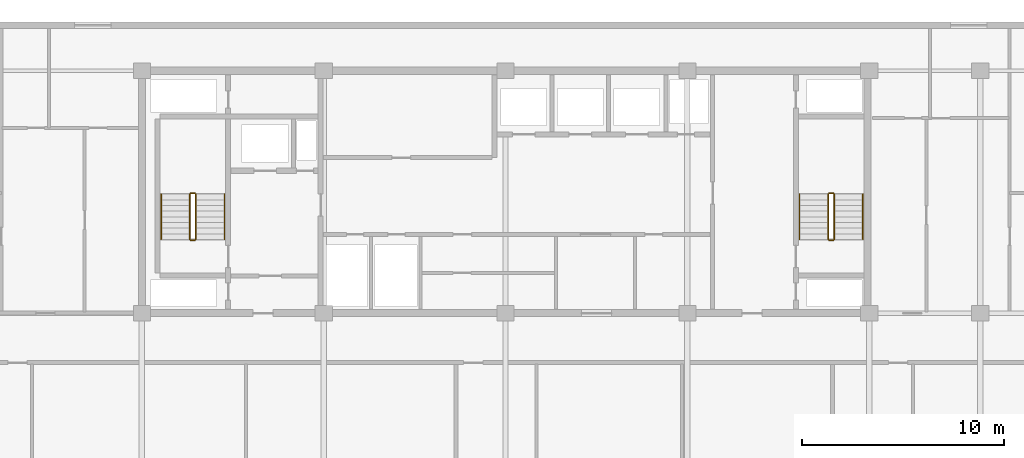
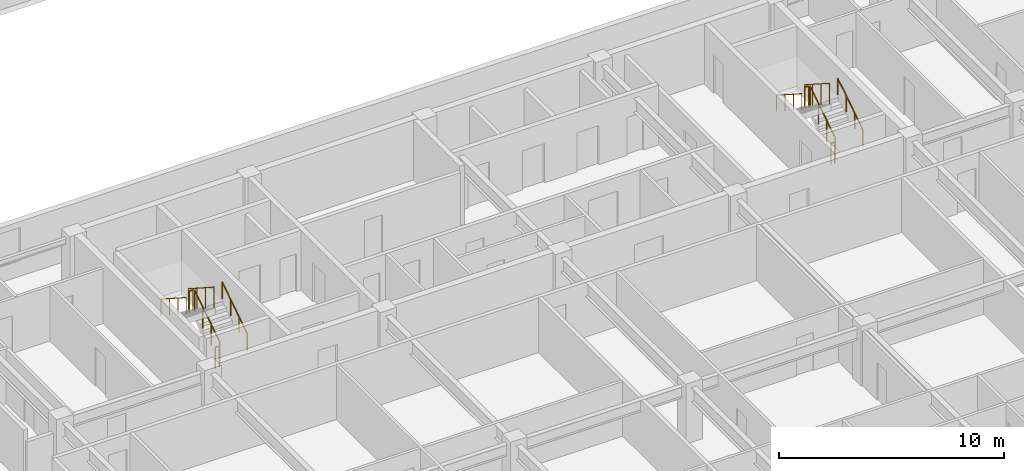
# One storey, part 19 of 22: 12 railings.
"""IFC4 building model written with IfcOpenShell, lengths in metres."""

from ifc_helpers import new_model, si_unit, direction, frame, origin, origin_2d, place, context, subcontext, project, spatial, circle, extrude, material, type_object, element, save


model = new_model("IFC4")

# Units and contexts
model_context = context("Model", 3, precision=1e-05, world=origin(), true_north=direction((0.0, 1.0)))
body_context = subcontext(model_context, "Body", "Model", "MODEL_VIEW")
ifc_project = project(units=[si_unit("LENGTHUNIT", "METRE"), si_unit("AREAUNIT", "SQUARE_METRE"), si_unit("VOLUMEUNIT", "CUBIC_METRE"), si_unit("PLANEANGLEUNIT", "RADIAN"), si_unit("MASSUNIT", "GRAM", prefix="KILO")], contexts=[model_context])

# Site, building, storey
site_placement = place(None, origin())
site = spatial("IfcSite", under=ifc_project, at=site_placement, CompositionType="ELEMENT")
building_placement = place(site_placement, origin())
building = spatial("IfcBuilding", under=site, at=building_placement, Name="Korimba Cascade Residences", CompositionType="ELEMENT")
storey_placement = place(building_placement, frame((0.0, 0.0, 129.550048828125)))
storey = spatial("IfcBuildingStorey", under=building, at=storey_placement, Name="L37", CompositionType="ELEMENT", Elevation=129.550048828125)

# Railings
ifc_material_1 = material(Name="Painted Steel Stairwell Guardrail", Category="steel")
railing_type_1 = type_object("IfcRailingType", Name="RLG-ST-GD1150", PredefinedType="GUARDRAIL", material=ifc_material_1)
railing_1_placement = place(storey_placement, frame((84.77001953125, 22.050048828125, 0.180419921875)))
element("IfcRailing", 1, at=railing_1_placement, inside=storey, type_object=railing_type_1, Name="L37 ST-E1 stair guard 1", PredefinedType="GUARDRAIL", context=body_context, shape_type="SweptSolid", body=[
    extrude(circle(Radius=0.02392578125, at=origin_2d()), frame((0.0, 0.0, 1.1259765625), z_axis=(0.0, 0.840394893359, 0.541974559565), x_axis=(-1.0, 0.0, 0.0)), (0.0, 0.0, 1.0), 2.665283203125),
    extrude(circle(Radius=0.02099609375, at=origin_2d()), origin(), (0.0, 0.0, 1.0), 1.101806640625),
    extrude(circle(Radius=0.02099609375, at=origin_2d()), frame((0.0, 0.74658203125, 0.4814453125)), (0.0, 0.0, 1.0), 1.101806640625),
    extrude(circle(Radius=0.02099609375, at=origin_2d()), frame((0.0, 1.493408203125, 0.963134765625)), (0.0, 0.0, 1.0), 1.101806640625),
    extrude(circle(Radius=0.02099609375, at=origin_2d()), frame((0.0, 2.239990234375, 1.444580078125)), (0.0, 0.0, 1.0), 1.101806640625),
])
railing_2_placement = place(storey_placement, frame((84.719970703125, 24.340087890625, 1.625)))
element("IfcRailing", 2, at=railing_2_placement, inside=storey, type_object=railing_type_1, Name="L37 ST-E1 stair guard 2", PredefinedType="GUARDRAIL", context=body_context, shape_type="SweptSolid", body=[
    extrude(circle(Radius=0.02392578125, at=origin_2d()), frame((0.0, 0.0, 1.1259765625), z_axis=(-1.0, 0.0, 0.0), x_axis=(0.0, -1.0, 0.0)), (0.0, 0.0, 1.0), 0.199951171875),
    extrude(circle(Radius=0.02099609375, at=origin_2d()), origin(), (0.0, 0.0, 1.0), 1.101806640625),
    extrude(circle(Radius=0.02099609375, at=origin_2d()), frame((-0.199951171875, 0.0, 0.0)), (0.0, 0.0, 1.0), 1.101806640625),
])
railing_3_placement = place(storey_placement, frame((84.469970703125, 24.2900390625, 1.805419921875)))
element("IfcRailing", 3, at=railing_3_placement, inside=storey, type_object=railing_type_1, Name="L37 ST-E1 stair guard 3", PredefinedType="GUARDRAIL", context=body_context, shape_type="SweptSolid", body=[
    extrude(circle(Radius=0.02392578125, at=origin_2d()), frame((0.0, 0.0, 1.1259765625), z_axis=(0.0, -0.840394893359, 0.541974559565), x_axis=(1.0, 0.0, 0.0)), (0.0, 0.0, 1.0), 2.665283203125),
    extrude(circle(Radius=0.02099609375, at=origin_2d()), origin(), (0.0, 0.0, 1.0), 1.101806640625),
    extrude(circle(Radius=0.02099609375, at=origin_2d()), frame((0.0, -0.74658203125, 0.4814453125)), (0.0, 0.0, 1.0), 1.101806640625),
    extrude(circle(Radius=0.02099609375, at=origin_2d()), frame((0.0, -1.493408203125, 0.963134765625)), (0.0, 0.0, 1.0), 1.101806640625),
    extrude(circle(Radius=0.02099609375, at=origin_2d()), frame((0.0, -2.239990234375, 1.444580078125)), (0.0, 0.0, 1.0), 1.101806640625),
])
railing_4_placement = place(storey_placement, frame((84.719970703125, 22.0, 0.0)))
element("IfcRailing", 4, at=railing_4_placement, inside=storey, type_object=railing_type_1, Name="L37 ST-E1 stair guard 4", PredefinedType="GUARDRAIL", context=body_context, shape_type="SweptSolid", body=[
    extrude(circle(Radius=0.02392578125, at=origin_2d()), frame((0.0, 0.0, 1.1259765625), z_axis=(-1.0, 0.0, 0.0), x_axis=(0.0, -1.0, 0.0)), (0.0, 0.0, 1.0), 0.199951171875),
    extrude(circle(Radius=0.02099609375, at=origin_2d()), origin(), (0.0, 0.0, 1.0), 1.101806640625),
    extrude(circle(Radius=0.02099609375, at=origin_2d()), frame((-0.199951171875, 0.0, 0.0)), (0.0, 0.0, 1.0), 1.101806640625),
])
railing_5_placement = place(storey_placement, frame((116.3701171875, 22.050048828125, 0.180419921875)))
element("IfcRailing", 5, at=railing_5_placement, inside=storey, type_object=railing_type_1, Name="L37 ST-E2 stair guard 1", PredefinedType="GUARDRAIL", context=body_context, shape_type="SweptSolid", body=[
    extrude(circle(Radius=0.02392578125, at=origin_2d()), frame((0.0, 0.0, 1.1259765625), z_axis=(0.0, 0.840394893359, 0.541974559565), x_axis=(-1.0, 0.0, 0.0)), (0.0, 0.0, 1.0), 2.665283203125),
    extrude(circle(Radius=0.02099609375, at=origin_2d()), origin(), (0.0, 0.0, 1.0), 1.101806640625),
    extrude(circle(Radius=0.02099609375, at=origin_2d()), frame((0.0, 0.74658203125, 0.4814453125)), (0.0, 0.0, 1.0), 1.101806640625),
    extrude(circle(Radius=0.02099609375, at=origin_2d()), frame((0.0, 1.493408203125, 0.963134765625)), (0.0, 0.0, 1.0), 1.101806640625),
    extrude(circle(Radius=0.02099609375, at=origin_2d()), frame((0.0, 2.239990234375, 1.444580078125)), (0.0, 0.0, 1.0), 1.101806640625),
])
railing_6_placement = place(storey_placement, frame((116.320068359375, 24.340087890625, 1.625)))
element("IfcRailing", 6, at=railing_6_placement, inside=storey, type_object=railing_type_1, Name="L37 ST-E2 stair guard 2", PredefinedType="GUARDRAIL", context=body_context, shape_type="SweptSolid", body=[
    extrude(circle(Radius=0.02392578125, at=origin_2d()), frame((0.0, 0.0, 1.1259765625), z_axis=(-1.0, 0.0, 0.0), x_axis=(0.0, -1.0, 0.0)), (0.0, 0.0, 1.0), 0.199951171875),
    extrude(circle(Radius=0.02099609375, at=origin_2d()), origin(), (0.0, 0.0, 1.0), 1.101806640625),
    extrude(circle(Radius=0.02099609375, at=origin_2d()), frame((-0.199951171875, 0.0, 0.0)), (0.0, 0.0, 1.0), 1.101806640625),
])
railing_7_placement = place(storey_placement, frame((116.070068359375, 24.2900390625, 1.805419921875)))
element("IfcRailing", 7, at=railing_7_placement, inside=storey, type_object=railing_type_1, Name="L37 ST-E2 stair guard 3", PredefinedType="GUARDRAIL", context=body_context, shape_type="SweptSolid", body=[
    extrude(circle(Radius=0.02392578125, at=origin_2d()), frame((0.0, 0.0, 1.1259765625), z_axis=(0.0, -0.840394893359, 0.541974559565), x_axis=(1.0, 0.0, 0.0)), (0.0, 0.0, 1.0), 2.665283203125),
    extrude(circle(Radius=0.02099609375, at=origin_2d()), origin(), (0.0, 0.0, 1.0), 1.101806640625),
    extrude(circle(Radius=0.02099609375, at=origin_2d()), frame((0.0, -0.74658203125, 0.4814453125)), (0.0, 0.0, 1.0), 1.101806640625),
    extrude(circle(Radius=0.02099609375, at=origin_2d()), frame((0.0, -1.493408203125, 0.963134765625)), (0.0, 0.0, 1.0), 1.101806640625),
    extrude(circle(Radius=0.02099609375, at=origin_2d()), frame((0.0, -2.239990234375, 1.444580078125)), (0.0, 0.0, 1.0), 1.101806640625),
])
railing_8_placement = place(storey_placement, frame((116.320068359375, 22.0, 0.0)))
element("IfcRailing", 8, at=railing_8_placement, inside=storey, type_object=railing_type_1, Name="L37 ST-E2 stair guard 4", PredefinedType="GUARDRAIL", context=body_context, shape_type="SweptSolid", body=[
    extrude(circle(Radius=0.02392578125, at=origin_2d()), frame((0.0, 0.0, 1.1259765625), z_axis=(-1.0, 0.0, 0.0), x_axis=(0.0, -1.0, 0.0)), (0.0, 0.0, 1.0), 0.199951171875),
    extrude(circle(Radius=0.02099609375, at=origin_2d()), origin(), (0.0, 0.0, 1.0), 1.101806640625),
    extrude(circle(Radius=0.02099609375, at=origin_2d()), frame((-0.199951171875, 0.0, 0.0)), (0.0, 0.0, 1.0), 1.101806640625),
])
ifc_material_2 = material(Name="Brushed Stainless Steel Handrail", Category="steel")
railing_type_2 = type_object("IfcRailingType", Name="RLG-ST-HR900", PredefinedType="HANDRAIL", material=ifc_material_2)
railing_9_placement = place(storey_placement, frame((86.18994140625, 22.050048828125, 0.364990234375)))
element("IfcRailing", 9, at=railing_9_placement, inside=storey, type_object=railing_type_2, Name="L37 ST-E1 stair handrail 1", PredefinedType="HANDRAIL", context=body_context, shape_type="SweptSolid", body=[
    extrude(circle(Radius=0.02392578125, at=origin_2d()), frame((0.0, 0.0, 0.8759765625), z_axis=(0.0, 0.840436612492, 0.541909863706), x_axis=(-1.0, 0.0, 0.0)), (0.0, 0.0, 1.0), 2.665283203125),
    extrude(circle(Radius=0.02099609375, at=origin_2d()), origin(), (0.0, 0.0, 1.0), 0.851806640625),
    extrude(circle(Radius=0.02099609375, at=origin_2d()), frame((0.0, 0.74658203125, 0.4814453125)), (0.0, 0.0, 1.0), 0.851806640625),
    extrude(circle(Radius=0.02099609375, at=origin_2d()), frame((0.0, 1.493408203125, 0.962890625)), (0.0, 0.0, 1.0), 0.851806640625),
    extrude(circle(Radius=0.02099609375, at=origin_2d()), frame((0.0, 2.239990234375, 1.4443359375)), (0.0, 0.0, 1.0), 0.851806640625),
])
railing_10_placement = place(storey_placement, frame((83.050048828125, 24.2900390625, 1.989990234375)))
element("IfcRailing", 10, at=railing_10_placement, inside=storey, type_object=railing_type_2, Name="L37 ST-E1 stair handrail 2", PredefinedType="HANDRAIL", context=body_context, shape_type="SweptSolid", body=[
    extrude(circle(Radius=0.02392578125, at=origin_2d()), frame((0.0, 0.0, 0.8759765625), z_axis=(0.0, -0.840436612492, 0.541909863706), x_axis=(1.0, 0.0, 0.0)), (0.0, 0.0, 1.0), 2.665283203125),
    extrude(circle(Radius=0.02099609375, at=origin_2d()), origin(), (0.0, 0.0, 1.0), 0.851806640625),
    extrude(circle(Radius=0.02099609375, at=origin_2d()), frame((0.0, -0.74658203125, 0.4814453125)), (0.0, 0.0, 1.0), 0.851806640625),
    extrude(circle(Radius=0.02099609375, at=origin_2d()), frame((0.0, -1.493408203125, 0.962890625)), (0.0, 0.0, 1.0), 0.851806640625),
    extrude(circle(Radius=0.02099609375, at=origin_2d()), frame((0.0, -2.239990234375, 1.4443359375)), (0.0, 0.0, 1.0), 0.851806640625),
])
railing_11_placement = place(storey_placement, frame((117.7900390625, 22.050048828125, 0.364990234375)))
element("IfcRailing", 11, at=railing_11_placement, inside=storey, type_object=railing_type_2, Name="L37 ST-E2 stair handrail 1", PredefinedType="HANDRAIL", context=body_context, shape_type="SweptSolid", body=[
    extrude(circle(Radius=0.02392578125, at=origin_2d()), frame((0.0, 0.0, 0.8759765625), z_axis=(0.0, 0.840436612492, 0.541909863706), x_axis=(-1.0, 0.0, 0.0)), (0.0, 0.0, 1.0), 2.665283203125),
    extrude(circle(Radius=0.02099609375, at=origin_2d()), origin(), (0.0, 0.0, 1.0), 0.851806640625),
    extrude(circle(Radius=0.02099609375, at=origin_2d()), frame((0.0, 0.74658203125, 0.4814453125)), (0.0, 0.0, 1.0), 0.851806640625),
    extrude(circle(Radius=0.02099609375, at=origin_2d()), frame((0.0, 1.493408203125, 0.962890625)), (0.0, 0.0, 1.0), 0.851806640625),
    extrude(circle(Radius=0.02099609375, at=origin_2d()), frame((0.0, 2.239990234375, 1.4443359375)), (0.0, 0.0, 1.0), 0.851806640625),
])
railing_12_placement = place(storey_placement, frame((114.64990234375, 24.2900390625, 1.989990234375)))
element("IfcRailing", 12, at=railing_12_placement, inside=storey, type_object=railing_type_2, Name="L37 ST-E2 stair handrail 2", PredefinedType="HANDRAIL", context=body_context, shape_type="SweptSolid", body=[
    extrude(circle(Radius=0.02392578125, at=origin_2d()), frame((0.0, 0.0, 0.8759765625), z_axis=(0.0, -0.840436612492, 0.541909863706), x_axis=(1.0, 0.0, 0.0)), (0.0, 0.0, 1.0), 2.665283203125),
    extrude(circle(Radius=0.02099609375, at=origin_2d()), origin(), (0.0, 0.0, 1.0), 0.851806640625),
    extrude(circle(Radius=0.02099609375, at=origin_2d()), frame((0.0, -0.74658203125, 0.4814453125)), (0.0, 0.0, 1.0), 0.851806640625),
    extrude(circle(Radius=0.02099609375, at=origin_2d()), frame((0.0, -1.493408203125, 0.962890625)), (0.0, 0.0, 1.0), 0.851806640625),
    extrude(circle(Radius=0.02099609375, at=origin_2d()), frame((0.0, -2.239990234375, 1.4443359375)), (0.0, 0.0, 1.0), 0.851806640625),
])

save(model, "model.ifc")
